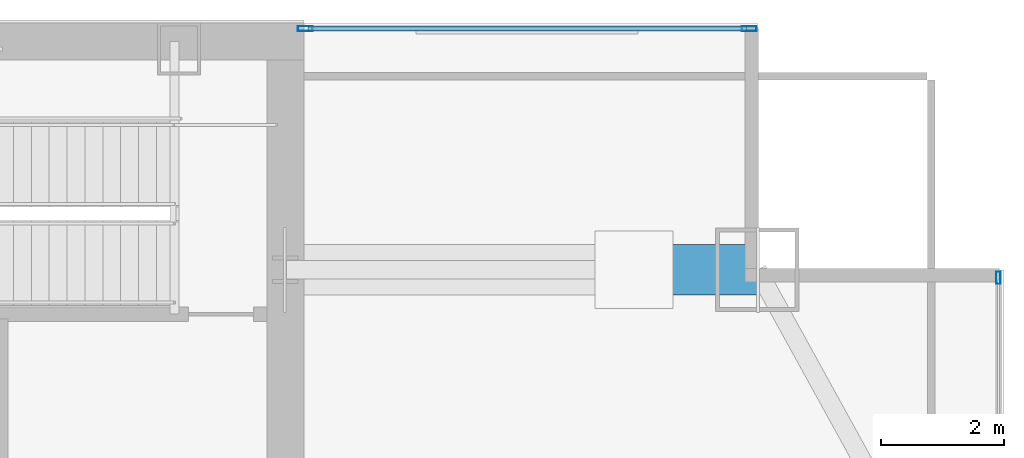
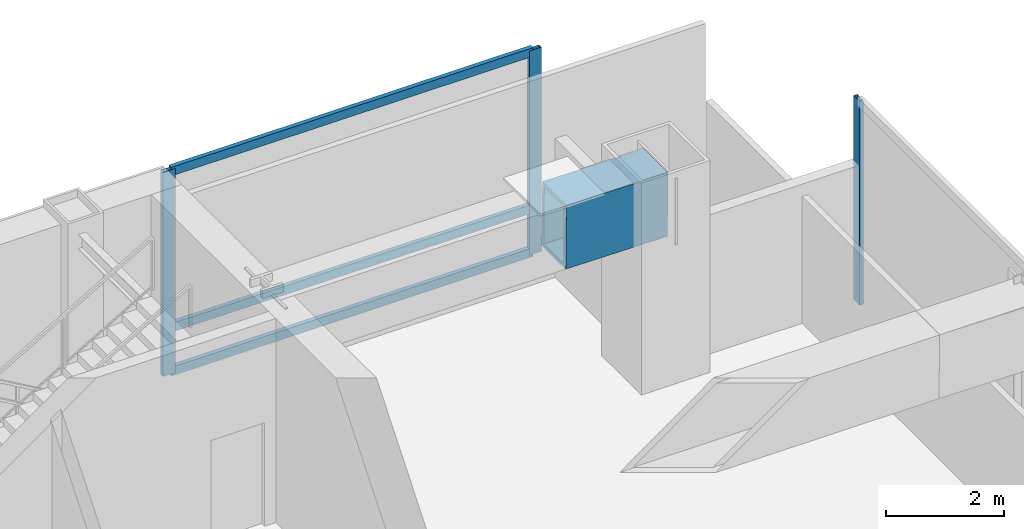
# One storey, part 19 of 25: 6 members, 1 beam, 2 elements without a shape of their own.
"""IFC4 building model written with IfcOpenShell, lengths in metres."""

from ifc_helpers import new_model, si_unit, direction, frame, origin, origin_2d, place, context, subcontext, project, spatial, hollow_rectangle, extrude, material, material_profile, profile_set, type_object, element, aggregate, save


model = new_model("IFC4")

# Units and contexts
model_context = context("Model", 3, precision=1e-05, world=origin(), true_north=direction((0.0, 1.0)))
body_context = subcontext(model_context, "Body", "Model", "MODEL_VIEW")
ifc_project = project(units=[si_unit("LENGTHUNIT", "METRE"), si_unit("AREAUNIT", "SQUARE_METRE"), si_unit("VOLUMEUNIT", "CUBIC_METRE"), si_unit("PLANEANGLEUNIT", "RADIAN"), si_unit("MASSUNIT", "GRAM", prefix="KILO")], contexts=[model_context])

# Site, building, storey
site_placement = place(None, origin())
site = spatial("IfcSite", under=ifc_project, at=site_placement, CompositionType="ELEMENT")
building_placement = place(site_placement, origin())
building = spatial("IfcBuilding", under=site, at=building_placement, Name="Khoronbel Lancet Exchange", CompositionType="ELEMENT")
storey_placement = place(building_placement, frame((0.0, 0.0, 184.199951171875)))
storey = spatial("IfcBuildingStorey", under=building, at=storey_placement, Name="L46", CompositionType="ELEMENT", Elevation=184.199951171875)

# Beam
ifc_material_1 = material(Name="Steel S460", Category="steel")
ifc_material_profile_1 = material_profile(ifc_material_1, hollow_rectangle(XDim=0.820068359375, YDim=1.320068359375, WallThickness=0.070068359375, at=origin_2d()), Name="BOX 820x1320x70")
ifc_profile_set_1 = profile_set([ifc_material_profile_1], Name="Steel S460")
beam_type = type_object("IfcBeamType", Name="BM-TG4", PredefinedType="USERDEFINED", material=ifc_profile_set_1)
beam_placement = place(storey_placement, frame((64.050048828125, 49.699951171875, 3.56005859375), z_axis=(-0.99994990606, 0.0, 0.010009264196), x_axis=(0.0, -1.0, 0.0)))
element("IfcBeam", 1, at=beam_placement, inside=storey, type_object=beam_type, Name="Setback transfer knee-brace girder L46-MC-NE", ObjectType="TRANSFER GIRDER", PredefinedType="USERDEFINED", context=body_context, shape_type="SweptSolid", body=[
    extrude(hollow_rectangle(XDim=0.820068359375, YDim=1.320068359375, WallThickness=0.070068359375, at=origin_2d()), origin(), (0.0, 0.0, 1.0), 2.0),
])

# Curtain wall, members
ifc_material_2 = material(Name="Low-E Solar Control Insulating Glass", Category="glass")
curtain_wall_type_1 = type_object("IfcCurtainWallType", Name="CW-3", PredefinedType="NOTDEFINED", material=ifc_material_2)
curtain_wall_1_placement = place(storey_placement, origin())
curtain_wall_1 = element("IfcCurtainWall", 2, at=curtain_wall_1_placement, inside=storey, type_object=curtain_wall_type_1, Name="Unitised curtain wall CW-L46-NEFLK", PredefinedType="NOTDEFINED")
ifc_material_3 = material(Name="Bronze-Anodised Aluminium 6063-T6", Category="aluminium")
ifc_material_profile_2 = material_profile(ifc_material_3, hollow_rectangle(XDim=0.0849609375, YDim=0.239990234375, WallThickness=0.006103515625, at=origin_2d()), Name="ALU MULLION 85x240")
ifc_profile_set_2 = profile_set([ifc_material_profile_2], Name="Bronze-Anodised Aluminium 6063-T6")
member_type_1 = type_object("IfcMemberType", Name="MEM-CWM1", PredefinedType="MULLION", material=ifc_profile_set_2)
member_1_placement = place(storey_placement, frame((63.91748046875, 53.610107421875, 0.0), z_axis=(0.0, 0.0, 1.0), x_axis=(0.0, -1.0, 0.0)))
member_1 = element("IfcMember", 3, at=member_1_placement, type_object=member_type_1, Name="CW3 mullion 1", PredefinedType="MULLION", context=body_context, shape_type="SweptSolid", body=[
    extrude(hollow_rectangle(XDim=0.0849609375, YDim=0.239990234375, WallThickness=0.006103515625, at=origin_2d()), origin(), (0.0, 0.0, 1.0), 4.239990234375),
])
member_2_placement = place(storey_placement, frame((56.722412109375, 53.610107421875, 0.0), z_axis=(0.0, 0.0, 1.0), x_axis=(0.0, -1.0, 0.0)))
member_2 = element("IfcMember", 4, at=member_2_placement, type_object=member_type_1, Name="CW3 mullion 2", PredefinedType="MULLION", context=body_context, shape_type="SweptSolid", body=[
    extrude(hollow_rectangle(XDim=0.0849609375, YDim=0.239990234375, WallThickness=0.006103515625, at=origin_2d()), origin(), (0.0, 0.0, 1.0), 4.239990234375),
])

# Curtain wall, member
curtain_wall_type_2 = type_object("IfcCurtainWallType", Name="CW-4", PredefinedType="NOTDEFINED", material=ifc_material_2)
curtain_wall_2_placement = place(storey_placement, origin())
curtain_wall_2 = element("IfcCurtainWall", 5, at=curtain_wall_2_placement, inside=storey, type_object=curtain_wall_type_2, Name="Unitised curtain wall CW-L46-E09", PredefinedType="NOTDEFINED")
ifc_material_profile_3 = material_profile(ifc_material_3, hollow_rectangle(XDim=0.074951171875, YDim=0.199951171875, WallThickness=0.0048828125, at=origin_2d()), Name="ALU MULLION 75x200")
ifc_profile_set_3 = profile_set([ifc_material_profile_3], Name="Bronze-Anodised Aluminium 6063-T6")
member_type_2 = type_object("IfcMemberType", Name="MEM-CWM2", PredefinedType="MULLION", material=ifc_profile_set_3)
member_3_placement = place(storey_placement, frame((67.9599609375, 49.572509765625, 0.0), z_axis=(0.0, 0.0, 1.0), x_axis=(1.0, 0.0, 0.0)))
member_3 = element("IfcMember", 6, at=member_3_placement, type_object=member_type_2, Name="CW4 mullion 1", PredefinedType="MULLION", context=body_context, shape_type="SweptSolid", body=[
    extrude(hollow_rectangle(XDim=0.074951171875, YDim=0.199951171875, WallThickness=0.0048828125, at=origin_2d()), origin(), (0.0, 0.0, 1.0), 4.239990234375),
])
aggregate(curtain_wall_2, [member_3])

# Member
ifc_material_profile_4 = material_profile(ifc_material_3, hollow_rectangle(XDim=0.0849609375, YDim=0.179931640625, WallThickness=0.0048828125, at=origin_2d()), Name="ALU TRANSOM 85x180")
ifc_profile_set_4 = profile_set([ifc_material_profile_4], Name="Bronze-Anodised Aluminium 6063-T6")
member_type_3 = type_object("IfcMemberType", Name="MEM-CWT1", PredefinedType="USERDEFINED", material=ifc_profile_set_4)
member_4_placement = place(storey_placement, frame((63.875, 53.610107421875, 0.04248046875), z_axis=(-1.0, 0.0, 0.0), x_axis=(0.0, -1.0, 0.0)))
member_4 = element("IfcMember", 7, at=member_4_placement, type_object=member_type_3, Name="CW3 transom 1.1", ObjectType="TRANSOM", PredefinedType="USERDEFINED", context=body_context, shape_type="SweptSolid", body=[
    extrude(hollow_rectangle(XDim=0.0849609375, YDim=0.179931640625, WallThickness=0.0048828125, at=origin_2d()), origin(), (0.0, 0.0, 1.0), 7.110107421875),
])

member_5_placement = place(storey_placement, frame((63.875, 53.610107421875, 0.949951171875), z_axis=(-1.0, 0.0, 0.0), x_axis=(0.0, -1.0, 0.0)))
member_5 = element("IfcMember", 8, at=member_5_placement, type_object=member_type_3, Name="CW3 transom 1.2", ObjectType="TRANSOM", PredefinedType="USERDEFINED", context=body_context, shape_type="SweptSolid", body=[
    extrude(hollow_rectangle(XDim=0.0849609375, YDim=0.179931640625, WallThickness=0.0048828125, at=origin_2d()), origin(), (0.0, 0.0, 1.0), 7.110107421875),
])

member_6_placement = place(storey_placement, frame((63.875, 53.610107421875, 4.197509765625), z_axis=(-1.0, 0.0, 0.0), x_axis=(0.0, -1.0, 0.0)))
member_6 = element("IfcMember", 9, at=member_6_placement, type_object=member_type_3, Name="CW3 transom 1.3", ObjectType="TRANSOM", PredefinedType="USERDEFINED", context=body_context, shape_type="SweptSolid", body=[
    extrude(hollow_rectangle(XDim=0.0849609375, YDim=0.179931640625, WallThickness=0.0048828125, at=origin_2d()), origin(), (0.0, 0.0, 1.0), 7.110107421875),
])

aggregate(curtain_wall_1, [member_1, member_2, member_4, member_5, member_6])

save(model, "model.ifc")
